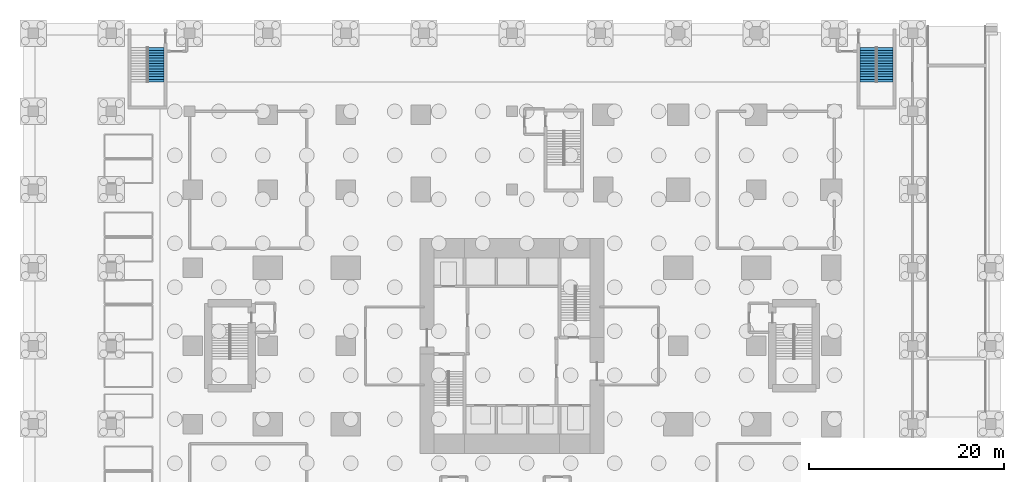
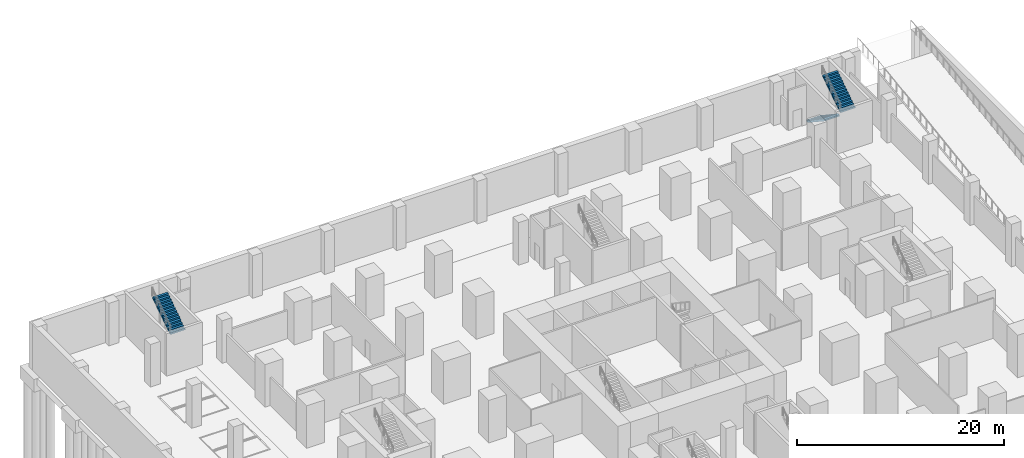
# One storey, part 14 of 17: 3 stair flights, 2 elements without a shape of their own.
"""IFC4 building model written with IfcOpenShell, lengths in metres."""

from ifc_helpers import new_model, si_unit, direction, frame, origin, place, context, subcontext, project, spatial, polyline, outline, extrude, material, type_object, element, aggregate, save


model = new_model("IFC4")

# Units and contexts
model_context = context("Model", 3, precision=1e-05, world=origin(), true_north=direction((0.0, 1.0)))
body_context = subcontext(model_context, "Body", "Model", "MODEL_VIEW")
ifc_project = project(units=[si_unit("LENGTHUNIT", "METRE"), si_unit("AREAUNIT", "SQUARE_METRE"), si_unit("VOLUMEUNIT", "CUBIC_METRE"), si_unit("PLANEANGLEUNIT", "RADIAN"), si_unit("MASSUNIT", "GRAM", prefix="KILO")], contexts=[model_context])

# Site, building, storey
site_placement = place(None, origin())
site = spatial("IfcSite", under=ifc_project, at=site_placement, CompositionType="ELEMENT")
building_placement = place(site_placement, origin())
building = spatial("IfcBuilding", under=site, at=building_placement, Name="Cleftline Residences", CompositionType="ELEMENT")
storey_placement = place(building_placement, frame((0.0, 0.0, -5.0)))
storey = spatial("IfcBuildingStorey", under=building, at=storey_placement, Name="L-01", CompositionType="ELEMENT", Elevation=-5.0)

# Stair, stair flights
ifc_material_1 = material(Name="Concrete B45, stone treads", Category="masonry")
stair_type_1 = type_object("IfcStairType", Name="STAIR PS-E 1630 WIDE 179 RISER", PredefinedType="HALF_TURN_STAIR", material=ifc_material_1)
stair_1_placement = place(storey_placement, origin())
stair_1 = element("IfcStair", 1, at=stair_1_placement, inside=storey, type_object=stair_type_1, Name="Stair PS-E L-01", PredefinedType="HALF_TURN_STAIR")
ifc_material_2 = material(Name="Concrete B45", Category="concrete")
stair_flight_type_1 = type_object("IfcStairFlightType", Name="STAIR PS-E FLIGHT 1630X179", PredefinedType="STRAIGHT", material=ifc_material_2)
stair_flight_1_placement = place(storey_placement, frame((69.4150390625, 54.52001953125, 0.0), z_axis=(0.0, 0.0, 1.0), x_axis=(0.0, -1.0, 0.0)))
stair_flight_1 = element("IfcStairFlight", 2, at=stair_flight_1_placement, type_object=stair_flight_type_1, Name="ST-PS-E flight 1", NumberOfRisers=14, NumberOfTreads=13, PredefinedType="STRAIGHT", RiserHeight=0.178571429, TreadLength=0.27, context=body_context, shape_type="SweptSolid", body=[
    extrude(outline(polyline([(0.0, 0.0), (0.0, 0.013671875), (0.0, 0.027587890625), (0.0, 0.041259765625), (0.0, 0.054931640625), (0.0, 0.068603515625), (0.0, 0.08251953125), (0.0, 0.09619140625), (0.0, 0.10986328125), (0.0, 0.12353515625), (0.0, 0.137451171875), (0.0, 0.151123046875), (0.0, 0.164794921875), (0.0, 0.178466796875), (0.27001953125, 0.178466796875), (0.27001953125, 0.357177734375), (0.5400390625, 0.357177734375), (0.5400390625, 0.53564453125), (0.81005859375, 0.53564453125), (0.81005859375, 0.71435546875), (1.080078125, 0.71435546875), (1.080078125, 0.892822265625), (1.35009765625, 0.892822265625), (1.35009765625, 1.071533203125), (1.6201171875, 1.071533203125), (1.6201171875, 1.25), (1.889892578125, 1.25), (1.889892578125, 1.428466796875), (2.159912109375, 1.428466796875), (2.159912109375, 1.607177734375), (2.429931640625, 1.607177734375), (2.429931640625, 1.78564453125), (2.699951171875, 1.78564453125), (2.699951171875, 1.96435546875), (2.969970703125, 1.96435546875), (2.969970703125, 2.142822265625), (3.239990234375, 2.142822265625), (3.239990234375, 2.321533203125), (3.510009765625, 2.321533203125), (3.510009765625, 2.5), (3.510009765625, 2.472412109375), (3.510009765625, 2.44482421875), (3.510009765625, 2.417236328125), (3.510009765625, 2.3896484375), (3.510009765625, 2.3623046875), (3.510009765625, 2.334716796875), (3.510009765625, 2.30712890625), (3.510009765625, 2.279541015625), (3.510009765625, 2.251953125), (3.510009765625, 2.224365234375), (3.510009765625, 2.19677734375), (3.510009765625, 2.169189453125), (3.510009765625, 2.1416015625), (0.271728515625, 0.0), (0.0, 0.0)])), frame((0.0, 0.81494140625, 0.0), z_axis=(0.0, -1.0, 0.0), x_axis=(1.0, 0.0, 0.0)), (0.0, 0.0, 1.0), 1.6298828125),
])
stair_flight_2_placement = place(storey_placement, frame((71.18505859375, 51.010009765625, 2.5), z_axis=(0.0, 0.0, 1.0), x_axis=(0.0, 1.0, 0.0)))
stair_flight_2 = element("IfcStairFlight", 3, at=stair_flight_2_placement, type_object=stair_flight_type_1, Name="ST-PS-E flight 2", NumberOfRisers=14, NumberOfTreads=13, PredefinedType="STRAIGHT", RiserHeight=0.178571429, TreadLength=0.27, context=body_context, shape_type="SweptSolid", body=[
    extrude(outline(polyline([(0.0, 0.0), (0.0, 0.013671875), (0.0, 0.027587890625), (0.0, 0.041259765625), (0.0, 0.054931640625), (0.0, 0.068603515625), (0.0, 0.08251953125), (0.0, 0.09619140625), (0.0, 0.10986328125), (0.0, 0.12353515625), (0.0, 0.137451171875), (0.0, 0.151123046875), (0.0, 0.164794921875), (0.0, 0.178466796875), (0.27001953125, 0.178466796875), (0.27001953125, 0.357177734375), (0.5400390625, 0.357177734375), (0.5400390625, 0.53564453125), (0.81005859375, 0.53564453125), (0.81005859375, 0.71435546875), (1.080078125, 0.71435546875), (1.080078125, 0.892822265625), (1.35009765625, 0.892822265625), (1.35009765625, 1.071533203125), (1.6201171875, 1.071533203125), (1.6201171875, 1.25), (1.889892578125, 1.25), (1.889892578125, 1.428466796875), (2.159912109375, 1.428466796875), (2.159912109375, 1.607177734375), (2.429931640625, 1.607177734375), (2.429931640625, 1.78564453125), (2.699951171875, 1.78564453125), (2.699951171875, 1.96435546875), (2.969970703125, 1.96435546875), (2.969970703125, 2.142822265625), (3.239990234375, 2.142822265625), (3.239990234375, 2.321533203125), (3.510009765625, 2.321533203125), (3.510009765625, 2.5), (3.510009765625, 2.472412109375), (3.510009765625, 2.44482421875), (3.510009765625, 2.417236328125), (3.510009765625, 2.3896484375), (3.510009765625, 2.3623046875), (3.510009765625, 2.334716796875), (3.510009765625, 2.30712890625), (3.510009765625, 2.279541015625), (3.510009765625, 2.251953125), (3.510009765625, 2.224365234375), (3.510009765625, 2.19677734375), (3.510009765625, 2.169189453125), (3.510009765625, 2.1416015625), (0.271728515625, 0.0), (0.0, 0.0)])), frame((0.0, 0.81494140625, 0.0), z_axis=(0.0, -1.0, 0.0), x_axis=(1.0, 0.0, 0.0)), (0.0, 0.0, 1.0), 1.6298828125),
])
aggregate(stair_1, [stair_flight_1, stair_flight_2])

# Stair, stair flight
ifc_material_3 = material(Name="Concrete B45, stone treads", Category="masonry")
stair_type_2 = type_object("IfcStairType", Name="STAIR PS-W 1630 WIDE 179 RISER", PredefinedType="HALF_TURN_STAIR", material=ifc_material_3)
stair_2_placement = place(storey_placement, origin())
stair_2 = element("IfcStair", 4, at=stair_2_placement, inside=storey, type_object=stair_type_2, Name="Stair PS-W L-01", PredefinedType="HALF_TURN_STAIR")
ifc_material_4 = material(Name="Concrete B45", Category="concrete")
stair_flight_type_2 = type_object("IfcStairFlightType", Name="STAIR PS-W FLIGHT 1630X179", PredefinedType="STRAIGHT", material=ifc_material_4)
stair_flight_3_placement = place(storey_placement, frame((-3.4150390625, 51.010009765625, 2.5), z_axis=(0.0, 0.0, 1.0), x_axis=(0.0, 1.0, 0.0)))
stair_flight_3 = element("IfcStairFlight", 5, at=stair_flight_3_placement, type_object=stair_flight_type_2, Name="ST-PS-W flight 2", NumberOfRisers=14, NumberOfTreads=13, PredefinedType="STRAIGHT", RiserHeight=0.178571429, TreadLength=0.27, context=body_context, shape_type="SweptSolid", body=[
    extrude(outline(polyline([(0.0, 0.0), (0.0, 0.013671875), (0.0, 0.027587890625), (0.0, 0.041259765625), (0.0, 0.054931640625), (0.0, 0.068603515625), (0.0, 0.08251953125), (0.0, 0.09619140625), (0.0, 0.10986328125), (0.0, 0.12353515625), (0.0, 0.137451171875), (0.0, 0.151123046875), (0.0, 0.164794921875), (0.0, 0.178466796875), (0.27001953125, 0.178466796875), (0.27001953125, 0.357177734375), (0.5400390625, 0.357177734375), (0.5400390625, 0.53564453125), (0.81005859375, 0.53564453125), (0.81005859375, 0.71435546875), (1.080078125, 0.71435546875), (1.080078125, 0.892822265625), (1.35009765625, 0.892822265625), (1.35009765625, 1.071533203125), (1.6201171875, 1.071533203125), (1.6201171875, 1.25), (1.889892578125, 1.25), (1.889892578125, 1.428466796875), (2.159912109375, 1.428466796875), (2.159912109375, 1.607177734375), (2.429931640625, 1.607177734375), (2.429931640625, 1.78564453125), (2.699951171875, 1.78564453125), (2.699951171875, 1.96435546875), (2.969970703125, 1.96435546875), (2.969970703125, 2.142822265625), (3.239990234375, 2.142822265625), (3.239990234375, 2.321533203125), (3.510009765625, 2.321533203125), (3.510009765625, 2.5), (3.510009765625, 2.472412109375), (3.510009765625, 2.44482421875), (3.510009765625, 2.417236328125), (3.510009765625, 2.3896484375), (3.510009765625, 2.3623046875), (3.510009765625, 2.334716796875), (3.510009765625, 2.30712890625), (3.510009765625, 2.279541015625), (3.510009765625, 2.251953125), (3.510009765625, 2.224365234375), (3.510009765625, 2.19677734375), (3.510009765625, 2.169189453125), (3.510009765625, 2.1416015625), (0.271728515625, 0.0), (0.0, 0.0)])), frame((0.0, 0.81494140625, 0.0), z_axis=(0.0, -1.0, 0.0), x_axis=(1.0, 0.0, 0.0)), (0.0, 0.0, 1.0), 1.6298828125),
])
aggregate(stair_2, [stair_flight_3])

save(model, "model.ifc")
